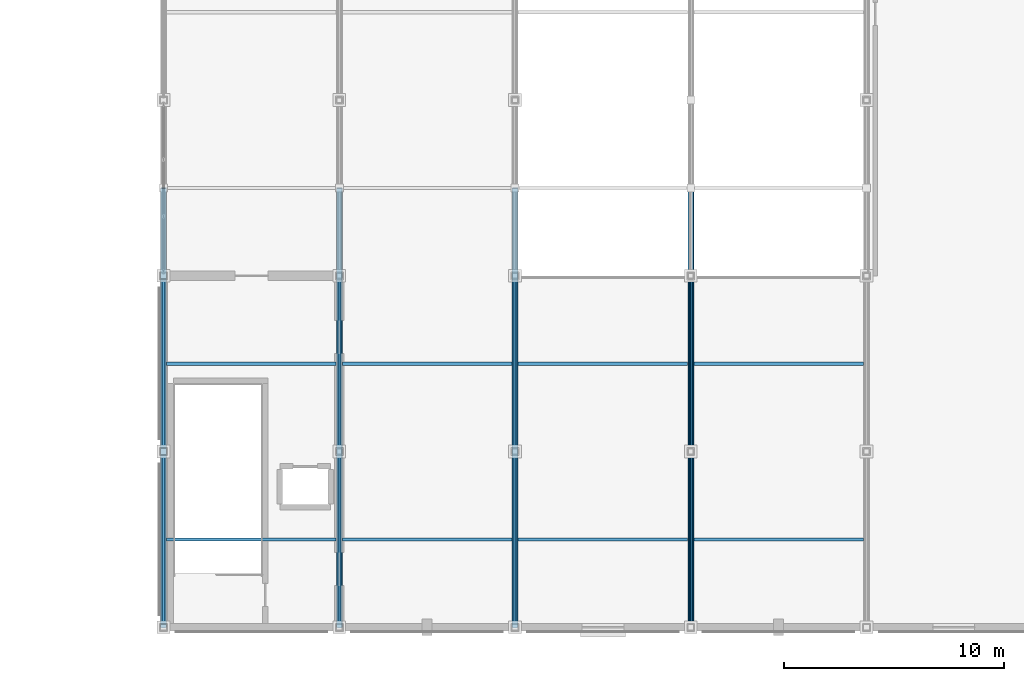
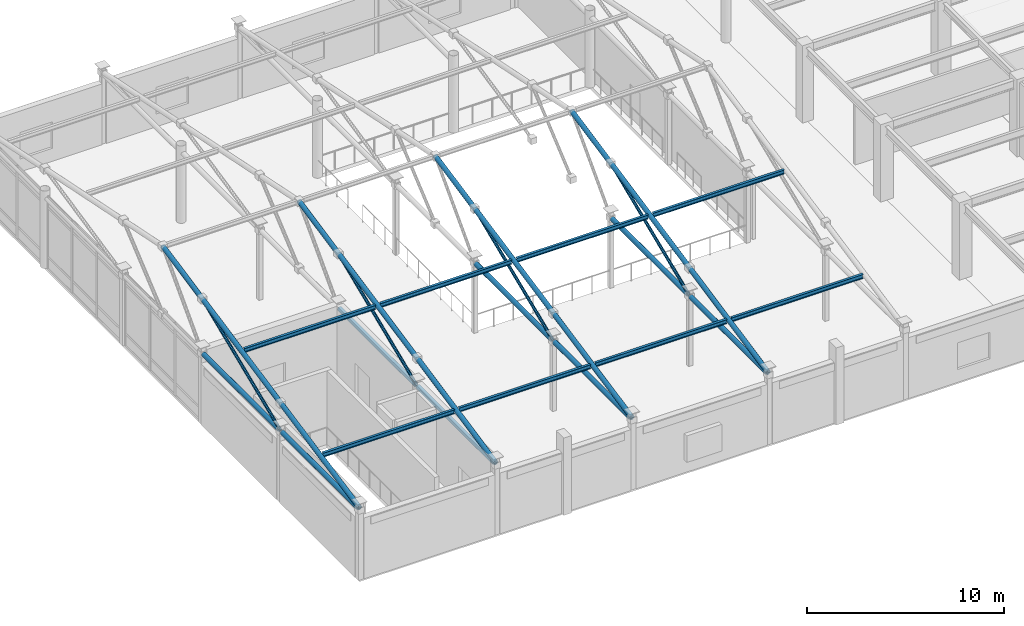
# One storey, part 23 of 117: 28 members.
"""IFC4 building model written with IfcOpenShell, lengths in metres."""

from ifc_helpers import new_model, si_unit, direction, frame, origin, origin_2d, place, context, subcontext, project, spatial, hollow_circle, i_section, extrude, material, material_profile, profile_set, type_object, element, save


model = new_model("IFC4")

# Units and contexts
model_context = context("Model", 3, precision=1e-05, world=origin(), true_north=direction((0.0, 1.0)))
body_context = subcontext(model_context, "Body", "Model", "MODEL_VIEW")
ifc_project = project(units=[si_unit("LENGTHUNIT", "METRE"), si_unit("AREAUNIT", "SQUARE_METRE"), si_unit("VOLUMEUNIT", "CUBIC_METRE"), si_unit("PLANEANGLEUNIT", "RADIAN"), si_unit("MASSUNIT", "GRAM", prefix="KILO")], contexts=[model_context])

# Site, building, storey
site_placement = place(None, origin())
site = spatial("IfcSite", under=ifc_project, at=site_placement, CompositionType="ELEMENT")
building_placement = place(site_placement, origin())
building = spatial("IfcBuilding", under=site, at=building_placement, Name="Solmirada Galleria", CompositionType="ELEMENT")
storey_placement = place(building_placement, frame((0.0, 0.0, 5.60009765625)))
storey = spatial("IfcBuildingStorey", under=building, at=storey_placement, Name="L01", CompositionType="ELEMENT", Elevation=5.60009765625)

# Members
ifc_material_1 = material(Name="Steel S355 / ASTM A500 Grade C", Category="steel")
ifc_material_profile_1 = material_profile(ifc_material_1, hollow_circle(Radius=0.136474609375, WallThickness=0.0087890625, at=origin_2d()), Name="HSS10.750X0.375")
ifc_profile_set_1 = profile_set([ifc_material_profile_1], Name="Steel S355 / ASTM A500 Grade C")
member_type_1 = type_object("IfcMemberType", Name="MEM-FH-CHORD", PredefinedType="CHORD", material=ifc_profile_set_1)
for number, where, z_axis, x_axis, name in (
    (1, (40.0, 0.152587890625, 4.2998046875), (0.0, 1.0, 0.0), (-1.0, 0.0, 0.0), "Food Hall truss bottom chord X=40"),
    (2, (40.0, 8.152587890625, 4.2998046875), (0.0, 1.0, 0.0), (-1.0, 0.0, 0.0), "Food Hall truss bottom chord X=40"),
):
    element("IfcMember", number, at=place(storey_placement, frame(where, z_axis=z_axis, x_axis=x_axis)), inside=storey, type_object=member_type_1, Name=name, PredefinedType="CHORD", context=body_context, shape_type="SweptSolid", body=[
        extrude(hollow_circle(Radius=0.136474609375, WallThickness=0.0087890625, at=origin_2d()), origin(), (0.0, 0.0, 1.0), 7.69482421875),
    ])
member_1_placement = place(storey_placement, frame((40.0, 0.0, 4.3798828125), z_axis=(0.0, 0.979626474639, 0.200828210633), x_axis=(-1.0, 0.0, 0.0)))
element("IfcMember", 3, at=member_1_placement, inside=storey, type_object=member_type_1, Name="Food Hall truss south top chord X=40", PredefinedType="CHORD", context=body_context, shape_type="SweptSolid", body=[
    extrude(hollow_circle(Radius=0.136474609375, WallThickness=0.0087890625, at=origin_2d()), origin(), (0.0, 0.0, 1.0), 20.416015625),
])
member_2_placement = place(storey_placement, frame((48.0, 0.152587890625, 4.2998046875), z_axis=(0.0, 1.0, 0.0), x_axis=(-1.0, 0.0, 0.0)))
element("IfcMember", 4, at=member_2_placement, inside=storey, type_object=member_type_1, Name="Food Hall truss bottom chord X=48", PredefinedType="CHORD", context=body_context, shape_type="SweptSolid", body=[
    extrude(hollow_circle(Radius=0.136474609375, WallThickness=0.0087890625, at=origin_2d()), origin(), (0.0, 0.0, 1.0), 7.720458984375),
])
member_3_placement = place(storey_placement, frame((48.0, 8.126953125, 4.2998046875), z_axis=(0.0, 1.0, 0.0), x_axis=(-1.0, 0.0, 0.0)))
element("IfcMember", 5, at=member_3_placement, inside=storey, type_object=member_type_1, Name="Food Hall truss bottom chord X=48", PredefinedType="CHORD", context=body_context, shape_type="SweptSolid", body=[
    extrude(hollow_circle(Radius=0.136474609375, WallThickness=0.0087890625, at=origin_2d()), origin(), (0.0, 0.0, 1.0), 7.74609375),
])
member_4_placement = place(storey_placement, frame((48.0, 0.0, 4.3798828125), z_axis=(0.0, 0.979626474639, 0.200828210633), x_axis=(-1.0, 0.0, 0.0)))
element("IfcMember", 6, at=member_4_placement, inside=storey, type_object=member_type_1, Name="Food Hall truss south top chord X=48", PredefinedType="CHORD", context=body_context, shape_type="SweptSolid", body=[
    extrude(hollow_circle(Radius=0.136474609375, WallThickness=0.0087890625, at=origin_2d()), origin(), (0.0, 0.0, 1.0), 20.416015625),
])
member_5_placement = place(storey_placement, frame((56.0, 0.152587890625, 4.2998046875), z_axis=(0.0, 1.0, 0.0), x_axis=(-1.0, 0.0, 0.0)))
element("IfcMember", 7, at=member_5_placement, inside=storey, type_object=member_type_1, Name="Food Hall truss bottom chord X=56", PredefinedType="CHORD", context=body_context, shape_type="SweptSolid", body=[
    extrude(hollow_circle(Radius=0.136474609375, WallThickness=0.0087890625, at=origin_2d()), origin(), (0.0, 0.0, 1.0), 7.720458984375),
])
member_6_placement = place(storey_placement, frame((56.0, 8.126953125, 4.2998046875), z_axis=(0.0, 1.0, 0.0), x_axis=(-1.0, 0.0, 0.0)))
element("IfcMember", 8, at=member_6_placement, inside=storey, type_object=member_type_1, Name="Food Hall truss bottom chord X=56", PredefinedType="CHORD", context=body_context, shape_type="SweptSolid", body=[
    extrude(hollow_circle(Radius=0.136474609375, WallThickness=0.0087890625, at=origin_2d()), origin(), (0.0, 0.0, 1.0), 7.74609375),
])
member_7_placement = place(storey_placement, frame((56.0, 0.0, 4.3798828125), z_axis=(0.0, 0.979626474639, 0.200828210633), x_axis=(-1.0, 0.0, 0.0)))
element("IfcMember", 9, at=member_7_placement, inside=storey, type_object=member_type_1, Name="Food Hall truss south top chord X=56", PredefinedType="CHORD", context=body_context, shape_type="SweptSolid", body=[
    extrude(hollow_circle(Radius=0.136474609375, WallThickness=0.0087890625, at=origin_2d()), origin(), (0.0, 0.0, 1.0), 20.416015625),
])
member_8_placement = place(storey_placement, frame((64.0, 0.152587890625, 4.2998046875), z_axis=(0.0, 1.0, 0.0), x_axis=(-1.0, 0.0, 0.0)))
element("IfcMember", 10, at=member_8_placement, inside=storey, type_object=member_type_1, Name="Food Hall truss bottom chord X=64", PredefinedType="CHORD", context=body_context, shape_type="SweptSolid", body=[
    extrude(hollow_circle(Radius=0.136474609375, WallThickness=0.0087890625, at=origin_2d()), origin(), (0.0, 0.0, 1.0), 7.720458984375),
])
member_9_placement = place(storey_placement, frame((64.0, 8.126953125, 4.2998046875), z_axis=(0.0, 1.0, 0.0), x_axis=(-1.0, 0.0, 0.0)))
element("IfcMember", 11, at=member_9_placement, inside=storey, type_object=member_type_1, Name="Food Hall truss bottom chord X=64", PredefinedType="CHORD", context=body_context, shape_type="SweptSolid", body=[
    extrude(hollow_circle(Radius=0.136474609375, WallThickness=0.0087890625, at=origin_2d()), origin(), (0.0, 0.0, 1.0), 7.74609375),
])
member_10_placement = place(storey_placement, frame((64.0, 0.0, 4.3798828125), z_axis=(0.0, 0.979626474639, 0.200828210633), x_axis=(-1.0, 0.0, 0.0)))
element("IfcMember", 12, at=member_10_placement, inside=storey, type_object=member_type_1, Name="Food Hall truss south top chord X=64", PredefinedType="CHORD", context=body_context, shape_type="SweptSolid", body=[
    extrude(hollow_circle(Radius=0.136474609375, WallThickness=0.0087890625, at=origin_2d()), origin(), (0.0, 0.0, 1.0), 20.416015625),
])
ifc_material_profile_2 = material_profile(ifc_material_1, hollow_circle(Radius=0.083984375, WallThickness=0.006591796875, at=origin_2d()), Name="HSS6.625X0.280")
ifc_profile_set_2 = profile_set([ifc_material_profile_2], Name="Steel S355 / ASTM A500 Grade C")
member_type_2 = type_object("IfcMemberType", Name="MEM-FH-WEB", PredefinedType="BRACE", material=ifc_profile_set_2)
member_11_placement = place(storey_placement, frame((40.0, 0.0, 4.2998046875), z_axis=(0.0, 0.977653718245, 0.210221804772), x_axis=(-1.0, 0.0, 0.0)))
element("IfcMember", 13, at=member_11_placement, inside=storey, type_object=member_type_2, Name="Food Hall truss web diagonal X=40", PredefinedType="BRACE", context=body_context, shape_type="SweptSolid", body=[
    extrude(hollow_circle(Radius=0.083984375, WallThickness=0.006591796875, at=origin_2d()), origin(), (0.0, 0.0, 1.0), 8.182861328125),
])
member_12_placement = place(storey_placement, frame((40.0, 8.0, 4.2998046875), z_axis=(0.0, 0.921977685597, 0.387243008022), x_axis=(-1.0, 0.0, 0.0)))
element("IfcMember", 14, at=member_12_placement, inside=storey, type_object=member_type_2, Name="Food Hall truss web diagonal X=40", PredefinedType="BRACE", context=body_context, shape_type="SweptSolid", body=[
    extrude(hollow_circle(Radius=0.083984375, WallThickness=0.006591796875, at=origin_2d()), origin(), (0.0, 0.0, 1.0), 8.677001953125),
])
member_13_placement = place(storey_placement, frame((48.0, 0.0, 4.2998046875), z_axis=(0.0, 0.977653718245, 0.210221804772), x_axis=(-1.0, 0.0, 0.0)))
element("IfcMember", 15, at=member_13_placement, inside=storey, type_object=member_type_2, Name="Food Hall truss web diagonal X=48", PredefinedType="BRACE", context=body_context, shape_type="SweptSolid", body=[
    extrude(hollow_circle(Radius=0.083984375, WallThickness=0.006591796875, at=origin_2d()), origin(), (0.0, 0.0, 1.0), 8.182861328125),
])
member_14_placement = place(storey_placement, frame((48.0, 8.0, 4.2998046875), z_axis=(0.0, 0.921977685597, 0.387243008022), x_axis=(-1.0, 0.0, 0.0)))
element("IfcMember", 16, at=member_14_placement, inside=storey, type_object=member_type_2, Name="Food Hall truss web diagonal X=48", PredefinedType="BRACE", context=body_context, shape_type="SweptSolid", body=[
    extrude(hollow_circle(Radius=0.083984375, WallThickness=0.006591796875, at=origin_2d()), origin(), (0.0, 0.0, 1.0), 8.677001953125),
])
member_15_placement = place(storey_placement, frame((56.0, 0.0, 4.2998046875), z_axis=(0.0, 0.977653718245, 0.210221804772), x_axis=(-1.0, 0.0, 0.0)))
element("IfcMember", 17, at=member_15_placement, inside=storey, type_object=member_type_2, Name="Food Hall truss web diagonal X=56", PredefinedType="BRACE", context=body_context, shape_type="SweptSolid", body=[
    extrude(hollow_circle(Radius=0.083984375, WallThickness=0.006591796875, at=origin_2d()), origin(), (0.0, 0.0, 1.0), 8.182861328125),
])
member_16_placement = place(storey_placement, frame((56.0, 8.0, 4.2998046875), z_axis=(0.0, 0.921977685597, 0.387243008022), x_axis=(-1.0, 0.0, 0.0)))
element("IfcMember", 18, at=member_16_placement, inside=storey, type_object=member_type_2, Name="Food Hall truss web diagonal X=56", PredefinedType="BRACE", context=body_context, shape_type="SweptSolid", body=[
    extrude(hollow_circle(Radius=0.083984375, WallThickness=0.006591796875, at=origin_2d()), origin(), (0.0, 0.0, 1.0), 8.677001953125),
])
member_17_placement = place(storey_placement, frame((64.0, 0.0, 4.2998046875), z_axis=(0.0, 0.977653718245, 0.210221804772), x_axis=(-1.0, 0.0, 0.0)))
element("IfcMember", 19, at=member_17_placement, inside=storey, type_object=member_type_2, Name="Food Hall truss web diagonal X=64", PredefinedType="BRACE", context=body_context, shape_type="SweptSolid", body=[
    extrude(hollow_circle(Radius=0.083984375, WallThickness=0.006591796875, at=origin_2d()), origin(), (0.0, 0.0, 1.0), 8.182861328125),
])
member_18_placement = place(storey_placement, frame((64.0, 8.0, 4.2998046875), z_axis=(0.0, 0.921977685597, 0.387243008022), x_axis=(-1.0, 0.0, 0.0)))
element("IfcMember", 20, at=member_18_placement, inside=storey, type_object=member_type_2, Name="Food Hall truss web diagonal X=64", PredefinedType="BRACE", context=body_context, shape_type="SweptSolid", body=[
    extrude(hollow_circle(Radius=0.083984375, WallThickness=0.006591796875, at=origin_2d()), origin(), (0.0, 0.0, 1.0), 8.677001953125),
])
ifc_material_2 = material(Name="Steel S355 / ASTM A992 Grade 50", Category="steel")
ifc_material_profile_3 = material_profile(ifc_material_2, i_section(OverallWidth=0.14599609375, OverallDepth=0.258056640625, WebThickness=0.006103515625, FlangeThickness=0.009033203125, FilletRadius=0.009033203125, at=origin_2d()), Name="W10X22")
ifc_profile_set_3 = profile_set([ifc_material_profile_3], Name="Steel S355 / ASTM A992 Grade 50")
member_type_3 = type_object("IfcMemberType", Name="MEM-ROOF-PURL", PredefinedType="PURLIN", material=ifc_profile_set_3)
for number, where, z_axis, x_axis, name in (
    (21, (40.139892578125, 4.0, 5.199951171875), (1.0, 0.0, 0.0), (0.0, 1.0, 0.0), "Food Hall roof purlin Y=4"),
    (22, (48.139892578125, 4.0, 5.199951171875), (1.0, 0.0, 0.0), (0.0, 1.0, 0.0), "Food Hall roof purlin Y=4"),
    (23, (56.139892578125, 4.0, 5.199951171875), (1.0, 0.0, 0.0), (0.0, 1.0, 0.0), "Food Hall roof purlin Y=4"),
    (24, (64.139892578125, 4.0, 5.199951171875), (1.0, 0.0, 0.0), (0.0, 1.0, 0.0), "Food Hall roof purlin Y=4"),
    (25, (40.139892578125, 12.0, 6.83984375), (1.0, 0.0, 0.0), (0.0, 1.0, 0.0), "Food Hall roof purlin Y=12"),
    (26, (48.139892578125, 12.0, 6.83984375), (1.0, 0.0, 0.0), (0.0, 1.0, 0.0), "Food Hall roof purlin Y=12"),
    (27, (56.139892578125, 12.0, 6.83984375), (1.0, 0.0, 0.0), (0.0, 1.0, 0.0), "Food Hall roof purlin Y=12"),
    (28, (64.139892578125, 12.0, 6.83984375), (1.0, 0.0, 0.0), (0.0, 1.0, 0.0), "Food Hall roof purlin Y=12"),
):
    element("IfcMember", number, at=place(storey_placement, frame(where, z_axis=z_axis, x_axis=x_axis)), inside=storey, type_object=member_type_3, Name=name, PredefinedType="PURLIN", context=body_context, shape_type="SweptSolid", body=[
        extrude(i_section(OverallWidth=0.14599609375, OverallDepth=0.258056640625, WebThickness=0.006103515625, FlangeThickness=0.009033203125, FilletRadius=0.009033203125, at=origin_2d()), origin(), (0.0, 0.0, 1.0), 7.72021484375),
    ])

save(model, "model.ifc")
